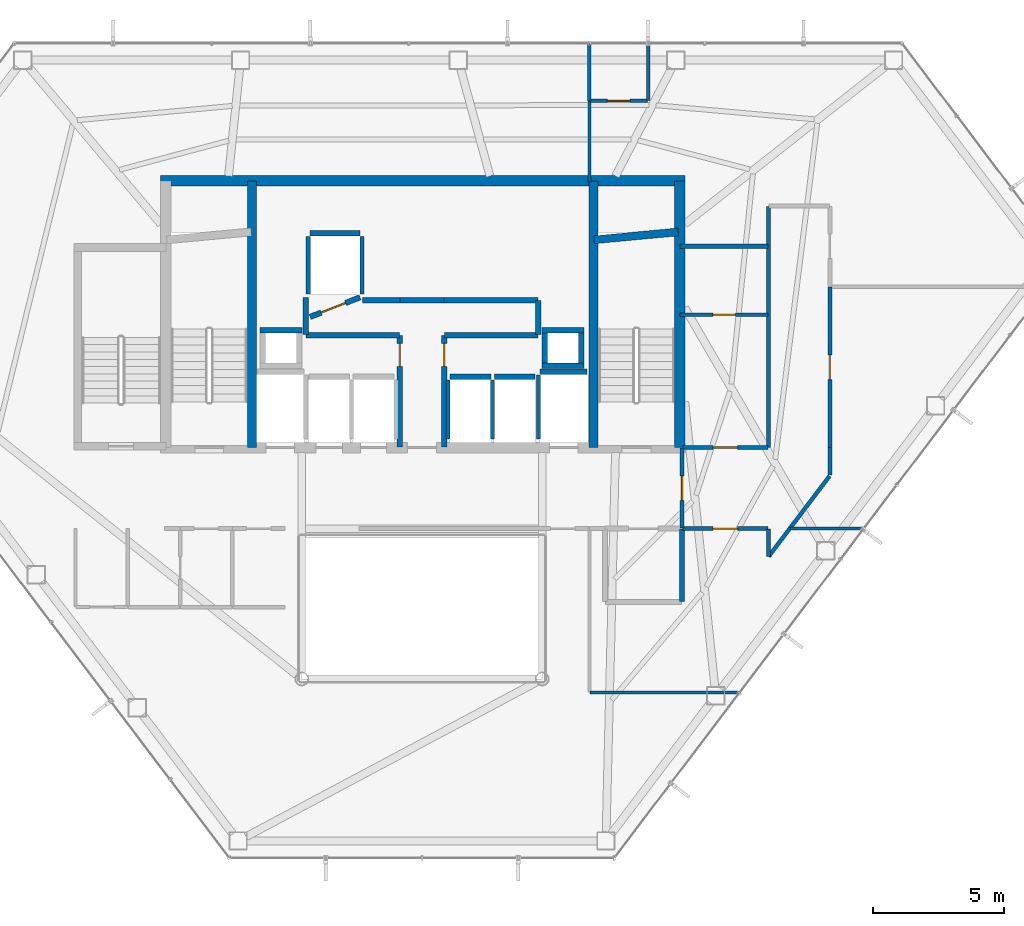
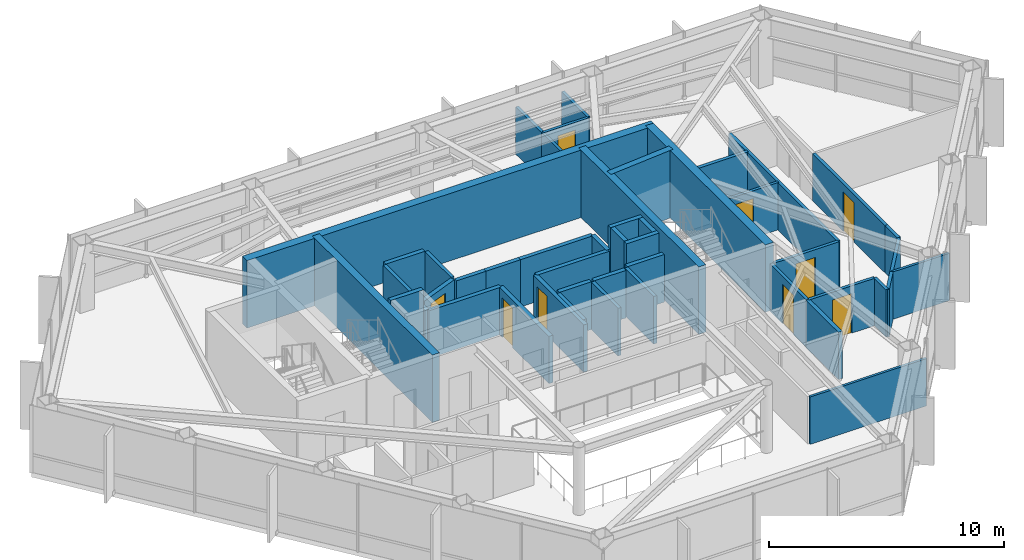
# One storey, part 25 of 27: 47 walls, 9 doors, 9 openings.
"""IFC4 building model written with IfcOpenShell, lengths in metres."""

from ifc_helpers import new_model, si_unit, direction, frame, frame_2d, origin, place, context, subcontext, project, spatial, rectangle, extrude, material, layer, layer_set, type_object, element, fill, save


model = new_model("IFC4")

# Units and contexts
model_context = context("Model", 3, precision=1e-05, world=origin(), true_north=direction((0.0, 1.0)))
body_context = subcontext(model_context, "Body", "Model", "MODEL_VIEW")
ifc_project = project(units=[si_unit("LENGTHUNIT", "METRE"), si_unit("AREAUNIT", "SQUARE_METRE"), si_unit("VOLUMEUNIT", "CUBIC_METRE"), si_unit("PLANEANGLEUNIT", "RADIAN"), si_unit("MASSUNIT", "GRAM", prefix="KILO")], contexts=[model_context])

# Site, building, storey
site_placement = place(None, origin())
site = spatial("IfcSite", under=ifc_project, at=site_placement, CompositionType="ELEMENT")
building_placement = place(site_placement, origin())
building = spatial("IfcBuilding", under=site, at=building_placement, Name="Zarrinselat Tower", CompositionType="ELEMENT")
storey_placement = place(building_placement, frame((0.0, 0.0, 175.780029296875)))
storey = spatial("IfcBuildingStorey", under=building, at=storey_placement, Name="L43", CompositionType="ELEMENT", Elevation=175.780029296875)

# Walls
ifc_material_1 = material(Name="Fire-Rated Gypsum Board Partition", Category="gypsum")
ifc_layer_1 = layer(ifc_material_1, 0.1650390625)
ifc_layer_set_1 = layer_set([ifc_layer_1], Name="Fire-Rated Gypsum Board Partition")
wall_type_1 = type_object("IfcWallType", Name="WAL-PART-DEMISE", PredefinedType="PARTITIONING", material=ifc_layer_set_1)
wall_1_placement = place(storey_placement, frame((48.27490234375, 40.9560546875, 0.0), z_axis=(0.0, 0.0, 1.0), x_axis=(1.0, 0.0, 0.0)))
element("IfcWall", 1, at=wall_1_placement, inside=storey, type_object=wall_type_1, Name="L43 Partition Wall 46", PredefinedType="PARTITIONING", context=body_context, shape_type="SweptSolid", body=[
    extrude(rectangle(XDim=3.360107421875, YDim=0.1650390625, at=frame_2d((1.68017578125, 0.0))), origin(), (0.0, 0.0, 1.0), 2.45703125),
])
ifc_material_2 = material(Name="Concrete C40/50", Category="concrete")
ifc_layer_2 = layer(ifc_material_2, 0.18994140625)
ifc_layer_set_2 = layer_set([ifc_layer_2], Name="Concrete C40/50")
wall_type_2 = type_object("IfcWallType", Name="WAL-PART-EI120", PredefinedType="PARTITIONING", material=ifc_layer_set_2)
wall_2_placement = place(storey_placement, frame((48.35009765625, 27.3701171875, 0.0), z_axis=(0.0, 0.0, 1.0), x_axis=(0.0, 1.0, 0.0)))
element("IfcWall", 2, at=wall_2_placement, inside=storey, type_object=wall_type_2, Name="L43 Partition Wall 19", PredefinedType="PARTITIONING", context=body_context, shape_type="SweptSolid", body=[
    extrude(rectangle(XDim=2.759765625, YDim=0.18994140625, at=frame_2d((1.3798828125, 0.0))), origin(), (0.0, 0.0, 1.0), 2.45703125),
])

# Wall, opening, door
ifc_material_3 = material(Name="Fire-Rated Gypsum Board Partition", Category="gypsum")
ifc_layer_3 = layer(ifc_material_3, 0.14990234375)
ifc_layer_set_3 = layer_set([ifc_layer_3], Name="Fire-Rated Gypsum Board Partition")
wall_type_3 = type_object("IfcWallType", Name="WAL-PART-EI60", PredefinedType="PARTITIONING", material=ifc_layer_set_3)
wall_3_placement = place(storey_placement, frame((48.35009765625, 30.169921875, 0.0), z_axis=(0.0, 0.0, 1.0), x_axis=(0.0, 1.0, 0.0)))
wall_3 = element("IfcWall", 3, at=wall_3_placement, inside=storey, type_object=wall_type_3, Name="L43 Partition Wall 11", PredefinedType="PARTITIONING", context=body_context, shape_type="SweptSolid", body=[
    extrude(rectangle(XDim=3.06005859375, YDim=0.14990234375, at=frame_2d((1.530029296875, 0.0))), origin(), (0.0, 0.0, 1.0), 2.45703125),
])
opening_1_placement = place(wall_3_placement, frame((1.06005859375, 0.0, 0.0)))
opening_1 = element("IfcOpeningElement", 4, at=opening_1_placement, cuts=wall_3, Name="Opening ID-04", PredefinedType="OPENING", context=body_context, shape_type="SweptSolid", body=[
    extrude(rectangle(XDim=0.93994140625, YDim=2.050048828125, at=frame_2d((0.469970703125, 1.02490234375))), frame((0.0, 0.0849609375, 0.0), z_axis=(0.0, -1.0, 0.0), x_axis=(1.0, 0.0, 0.0)), (0.0, 0.0, 1.0), 0.169921875),
])
ifc_material_4 = material(Name="Fire-Rated Gypsum Board Partition")
door_type_1 = type_object("IfcDoorType", Name="DR-INT-FD30-ENT", OperationType="NOTDEFINED", PredefinedType="DOOR", material=ifc_material_4)
door_1_placement = place(opening_1_placement, origin())
door_1 = element("IfcDoor", 5, at=door_1_placement, inside=storey, type_object=door_type_1, Name="L43 Interior Door P11", OperationType="SINGLE_SWING_RIGHT", OverallHeight=2.050048828125, OverallWidth=0.93994140625, PredefinedType="DOOR", context=body_context, shape_type="SweptSolid", body=[
    extrude(rectangle(XDim=0.93994140625, YDim=2.050048828125, at=frame_2d((0.469970703125, 1.02490234375))), frame((0.0, 0.02490234375, 0.0), z_axis=(0.0, -1.0, 0.0), x_axis=(1.0, 0.0, 0.0)), (0.0, 0.0, 1.0), 0.050048828125),
])
fill(opening_1, door_1)

# Walls
wall_4_placement = place(storey_placement, frame((51.662109375, 29.0908203125, 0.0), z_axis=(0.0, 0.0, 1.0), x_axis=(0.603847067363, 0.797100193976, 0.0)))
element("IfcWall", 6, at=wall_4_placement, inside=storey, type_object=wall_type_3, Name="L43 Partition Wall 20", PredefinedType="PARTITIONING", context=body_context, shape_type="SweptSolid", body=[
    extrude(rectangle(XDim=1.32763671875, YDim=0.14990234375, at=frame_2d((0.663818359375, 0.0))), origin(), (0.0, 0.0, 1.0), 2.45703125),
])
wall_5_placement = place(storey_placement, frame((51.64990234375, 29.0947265625, 0.0), z_axis=(0.0, 0.0, 1.0), x_axis=(0.0, 1.0, 0.0)))
element("IfcWall", 7, at=wall_5_placement, inside=storey, type_object=wall_type_3, Name="L43 Partition Wall 21", PredefinedType="PARTITIONING", context=body_context, shape_type="SweptSolid", body=[
    extrude(rectangle(XDim=1.03515625, YDim=0.14990234375, at=frame_2d((0.517578125, 0.0))), origin(), (0.0, 0.0, 1.0), 2.45703125),
])

# Wall, opening, door
wall_6_placement = place(storey_placement, frame((48.3701171875, 30.14990234375, 0.0), z_axis=(0.0, 0.0, 1.0), x_axis=(1.0, 0.0, 0.0)))
wall_6 = element("IfcWall", 8, at=wall_6_placement, inside=storey, type_object=wall_type_3, Name="L43 Partition Wall 22", PredefinedType="PARTITIONING", context=body_context, shape_type="SweptSolid", body=[
    extrude(rectangle(XDim=3.259765625, YDim=0.14990234375, at=frame_2d((1.6298828125, 0.0))), origin(), (0.0, 0.0, 1.0), 2.45703125),
])
opening_2_placement = place(wall_6_placement, frame((1.159912109375, 0.0, 0.0)))
opening_2 = element("IfcOpeningElement", 9, at=opening_2_placement, cuts=wall_6, Name="Opening ID-04", PredefinedType="OPENING", context=body_context, shape_type="SweptSolid", body=[
    extrude(rectangle(XDim=0.93994140625, YDim=2.050048828125, at=frame_2d((0.469970703125, 1.02490234375))), frame((0.0, 0.0849609375, 0.0), z_axis=(0.0, -1.0, 0.0), x_axis=(1.0, 0.0, 0.0)), (0.0, 0.0, 1.0), 0.169921875),
])
door_2_placement = place(opening_2_placement, origin())
door_2 = element("IfcDoor", 10, at=door_2_placement, inside=storey, type_object=door_type_1, Name="L43 Interior Door P22", OperationType="SINGLE_SWING_RIGHT", OverallHeight=2.050048828125, OverallWidth=0.93994140625, PredefinedType="DOOR", context=body_context, shape_type="SweptSolid", body=[
    extrude(rectangle(XDim=0.93994140625, YDim=2.050048828125, at=frame_2d((0.469970703125, 1.02490234375))), frame((0.0, 0.02490234375, 0.0), z_axis=(0.0, -1.0, 0.0), x_axis=(1.0, 0.0, 0.0)), (0.0, 0.0, 1.0), 0.050048828125),
])
fill(opening_2, door_2)

wall_7_placement = place(storey_placement, frame((54.0, 33.25, 0.0), z_axis=(0.0, 0.0, 1.0), x_axis=(0.0, 1.0, 0.0)))
wall_7 = element("IfcWall", 11, at=wall_7_placement, inside=storey, type_object=wall_type_3, Name="L43 Partition Wall 23", PredefinedType="PARTITIONING", context=body_context, shape_type="SweptSolid", body=[
    extrude(rectangle(XDim=6.151123046875, YDim=0.14990234375, at=frame_2d((3.07568359375, 0.0))), origin(), (0.0, 0.0, 1.0), 2.45703125),
])
opening_3_placement = place(wall_7_placement, frame((2.605712890625, 0.0, 0.0)))
opening_3 = element("IfcOpeningElement", 12, at=opening_3_placement, cuts=wall_7, Name="Opening ID-04", PredefinedType="OPENING", context=body_context, shape_type="SweptSolid", body=[
    extrude(rectangle(XDim=0.93994140625, YDim=2.050048828125, at=frame_2d((0.469970703125, 1.02490234375))), frame((0.0, 0.0849609375, 0.0), z_axis=(0.0, -1.0, 0.0), x_axis=(1.0, 0.0, 0.0)), (0.0, 0.0, 1.0), 0.169921875),
])
door_3_placement = place(opening_3_placement, origin())
door_3 = element("IfcDoor", 13, at=door_3_placement, inside=storey, type_object=door_type_1, Name="L43 Interior Door P23", OperationType="SINGLE_SWING_LEFT", OverallHeight=2.050048828125, OverallWidth=0.93994140625, PredefinedType="DOOR", context=body_context, shape_type="SweptSolid", body=[
    extrude(rectangle(XDim=0.93994140625, YDim=2.050048828125, at=frame_2d((0.469970703125, 1.02490234375))), frame((0.0, 0.02490234375, 0.0), z_axis=(0.0, -1.0, 0.0), x_axis=(1.0, 0.0, 0.0)), (0.0, 0.0, 1.0), 0.050048828125),
])
fill(opening_3, door_3)

# Walls
wall_8_placement = place(storey_placement, frame((54.0, 32.19677734375, 0.0), z_axis=(0.0, 0.0, 1.0), x_axis=(0.0, 1.0, 0.0)))
element("IfcWall", 14, at=wall_8_placement, inside=storey, type_object=wall_type_3, Name="L43 Partition Wall 24", PredefinedType="PARTITIONING", context=body_context, shape_type="SweptSolid", body=[
    extrude(rectangle(XDim=1.05322265625, YDim=0.14990234375, at=frame_2d((0.526611328125, 0.0))), origin(), (0.0, 0.0, 1.0), 2.45703125),
])
wall_9_placement = place(storey_placement, frame((52.467529296875, 30.154052734375, 0.0), z_axis=(0.0, 0.0, 1.0), x_axis=(0.603840884766, 0.797104877594, 0.0)))
element("IfcWall", 15, at=wall_9_placement, inside=storey, type_object=wall_type_3, Name="L43 Partition Wall 25", PredefinedType="PARTITIONING", context=body_context, shape_type="SweptSolid", body=[
    extrude(rectangle(XDim=2.517578125, YDim=0.14990234375, at=frame_2d((1.2587890625, 0.0))), origin(), (0.0, 0.0, 1.0), 2.45703125),
])
wall_10_placement = place(storey_placement, frame((51.64990234375, 33.25, 0.0), z_axis=(0.0, 0.0, 1.0), x_axis=(0.0, 1.0, 0.0)))
element("IfcWall", 16, at=wall_10_placement, inside=storey, type_object=wall_type_3, Name="L43 Partition Wall 26", PredefinedType="PARTITIONING", context=body_context, shape_type="SweptSolid", body=[
    extrude(rectangle(XDim=9.22998046875, YDim=0.14990234375, at=frame_2d((4.614990234375, 0.0))), origin(), (0.0, 0.0, 1.0), 2.45703125),
])

# Wall, opening, door
wall_11_placement = place(storey_placement, frame((48.364990234375, 33.25, 0.0), z_axis=(0.0, 0.0, 1.0), x_axis=(1.0, 0.0, 0.0)))
wall_11 = element("IfcWall", 17, at=wall_11_placement, inside=storey, type_object=wall_type_3, Name="L43 Partition Wall 29", PredefinedType="PARTITIONING", context=body_context, shape_type="SweptSolid", body=[
    extrude(rectangle(XDim=3.27001953125, YDim=0.14990234375, at=frame_2d((1.635009765625, 0.0))), origin(), (0.0, 0.0, 1.0), 2.45703125),
])
opening_4_placement = place(wall_11_placement, frame((1.1650390625, 0.0, 0.0)))
opening_4 = element("IfcOpeningElement", 18, at=opening_4_placement, cuts=wall_11, Name="Opening ID-04", PredefinedType="OPENING", context=body_context, shape_type="SweptSolid", body=[
    extrude(rectangle(XDim=0.93994140625, YDim=2.050048828125, at=frame_2d((0.469970703125, 1.02490234375))), frame((0.0, 0.0849609375, 0.0), z_axis=(0.0, -1.0, 0.0), x_axis=(1.0, 0.0, 0.0)), (0.0, 0.0, 1.0), 0.169921875),
])
door_4_placement = place(opening_4_placement, origin())
door_4 = element("IfcDoor", 19, at=door_4_placement, inside=storey, type_object=door_type_1, Name="L43 Interior Door P29", OperationType="SINGLE_SWING_LEFT", OverallHeight=2.050048828125, OverallWidth=0.93994140625, PredefinedType="DOOR", context=body_context, shape_type="SweptSolid", body=[
    extrude(rectangle(XDim=0.93994140625, YDim=2.050048828125, at=frame_2d((0.469970703125, 1.02490234375))), frame((0.0, 0.02490234375, 0.0), z_axis=(0.0, -1.0, 0.0), x_axis=(1.0, 0.0, 0.0)), (0.0, 0.0, 1.0), 0.050048828125),
])
fill(opening_4, door_4)

ifc_material_5 = material(Name="Concrete C40/50", Category="concrete")
ifc_layer_4 = layer(ifc_material_5, 0.199951171875)
ifc_layer_set_4 = layer_set([ifc_layer_4], Name="Concrete C40/50")
wall_type_4 = type_object("IfcWallType", Name="WAL-PART-PLANT", PredefinedType="PARTITIONING", material=ifc_layer_set_4)
wall_12_placement = place(storey_placement, frame((37.550048828125, 33.264892578125, 0.0), z_axis=(0.0, 0.0, 1.0), x_axis=(0.0, 1.0, 0.0)))
wall_12 = element("IfcWall", 20, at=wall_12_placement, inside=storey, type_object=wall_type_4, Name="L43 Partition Wall 1", PredefinedType="PARTITIONING", context=body_context, shape_type="SweptSolid", body=[
    extrude(rectangle(XDim=4.26513671875, YDim=0.199951171875, at=frame_2d((2.132568359375, 0.0))), origin(), (0.0, 0.0, 1.0), 2.45703125),
])
opening_5_placement = place(wall_12_placement, frame((3.092529296875, 0.0, 0.0)))
opening_5 = element("IfcOpeningElement", 21, at=opening_5_placement, cuts=wall_12, Name="Opening ID-03", PredefinedType="OPENING", context=body_context, shape_type="SweptSolid", body=[
    extrude(rectangle(XDim=0.8798828125, YDim=2.050048828125, at=frame_2d((0.43994140625, 1.02490234375))), frame((0.0, 0.10986328125, 0.0), z_axis=(0.0, -1.0, 0.0), x_axis=(1.0, 0.0, 0.0)), (0.0, 0.0, 1.0), 0.219970703125),
])
ifc_material_6 = material(Name="Steel S355J2", Category="steel")
door_type_2 = type_object("IfcDoorType", Name="DR-INT-FD60-S", OperationType="NOTDEFINED", PredefinedType="DOOR", material=ifc_material_6)
door_5_placement = place(opening_5_placement, origin())
door_5 = element("IfcDoor", 22, at=door_5_placement, inside=storey, type_object=door_type_2, Name="L43 Interior Door P1", OperationType="SINGLE_SWING_LEFT", OverallHeight=2.050048828125, OverallWidth=0.8798828125, PredefinedType="DOOR", context=body_context, shape_type="SweptSolid", body=[
    extrude(rectangle(XDim=0.8798828125, YDim=2.050048828125, at=frame_2d((0.43994140625, 1.02490234375))), frame((0.0, 0.02490234375, 0.0), z_axis=(0.0, -1.0, 0.0), x_axis=(1.0, 0.0, 0.0)), (0.0, 0.0, 1.0), 0.050048828125),
])
fill(opening_5, door_5)

# Walls
wall_13_placement = place(storey_placement, frame((33.969970703125, 37.550048828125, 0.0), z_axis=(0.0, 0.0, 1.0), x_axis=(1.0, 0.0, 0.0)))
element("IfcWall", 23, at=wall_13_placement, inside=storey, type_object=wall_type_4, Name="L43 Partition Wall 2", PredefinedType="PARTITIONING", context=body_context, shape_type="SweptSolid", body=[
    extrude(rectangle(XDim=3.56005859375, YDim=0.199951171875, at=frame_2d((1.780029296875, 0.0))), origin(), (0.0, 0.0, 1.0), 2.45703125),
])
wall_14_placement = place(storey_placement, frame((33.949951171875, 37.570068359375, 0.0), z_axis=(0.0, 0.0, 1.0), x_axis=(0.0, 1.0, 0.0)))
element("IfcWall", 24, at=wall_14_placement, inside=storey, type_object=wall_type_4, Name="L43 Partition Wall 3", PredefinedType="PARTITIONING", context=body_context, shape_type="SweptSolid", body=[
    extrude(rectangle(XDim=1.4150390625, YDim=0.199951171875, at=frame_2d((0.70751953125, 0.0))), origin(), (0.0, 0.0, 1.0), 2.45703125),
])
wall_15_placement = place(storey_placement, frame((36.114990234375, 38.889892578125, 0.0), z_axis=(0.0, 0.0, 1.0), x_axis=(1.0, 0.0, 0.0)))
element("IfcWall", 25, at=wall_15_placement, inside=storey, type_object=wall_type_4, Name="L43 Partition Wall 4", PredefinedType="PARTITIONING", context=body_context, shape_type="SweptSolid", body=[
    extrude(rectangle(XDim=1.43505859375, YDim=0.199951171875, at=frame_2d((0.717529296875, 0.0))), origin(), (0.0, 0.0, 1.0), 2.45703125),
])
wall_16_placement = place(storey_placement, frame((37.550048828125, 38.889892578125, 0.0), z_axis=(0.0, 0.0, 1.0), x_axis=(1.0, 0.0, 0.0)))
element("IfcWall", 26, at=wall_16_placement, inside=storey, type_object=wall_type_4, Name="L43 Partition Wall 5", PredefinedType="PARTITIONING", context=body_context, shape_type="SweptSolid", body=[
    extrude(rectangle(XDim=1.699951171875, YDim=0.199951171875, at=frame_2d((0.85009765625, 0.0))), origin(), (0.0, 0.0, 1.0), 2.45703125),
])
wall_17_placement = place(storey_placement, frame((39.25, 38.889892578125, 0.0), z_axis=(0.0, 0.0, 1.0), x_axis=(1.0, 0.0, 0.0)))
element("IfcWall", 27, at=wall_17_placement, inside=storey, type_object=wall_type_4, Name="L43 Partition Wall 6", PredefinedType="PARTITIONING", context=body_context, shape_type="SweptSolid", body=[
    extrude(rectangle(XDim=3.580078125, YDim=0.199951171875, at=frame_2d((1.7900390625, 0.0))), origin(), (0.0, 0.0, 1.0), 2.45703125),
])
wall_18_placement = place(storey_placement, frame((42.85009765625, 37.570068359375, 0.0), z_axis=(0.0, 0.0, 1.0), x_axis=(0.0, 1.0, 0.0)))
element("IfcWall", 28, at=wall_18_placement, inside=storey, type_object=wall_type_4, Name="L43 Partition Wall 7", PredefinedType="PARTITIONING", context=body_context, shape_type="SweptSolid", body=[
    extrude(rectangle(XDim=1.300048828125, YDim=0.199951171875, at=frame_2d((0.64990234375, 0.0))), origin(), (0.0, 0.0, 1.0), 2.45703125),
])
wall_19_placement = place(storey_placement, frame((39.27001953125, 37.550048828125, 0.0), z_axis=(0.0, 0.0, 1.0), x_axis=(1.0, 0.0, 0.0)))
element("IfcWall", 29, at=wall_19_placement, inside=storey, type_object=wall_type_4, Name="L43 Partition Wall 8", PredefinedType="PARTITIONING", context=body_context, shape_type="SweptSolid", body=[
    extrude(rectangle(XDim=3.56005859375, YDim=0.199951171875, at=frame_2d((1.780029296875, 0.0))), origin(), (0.0, 0.0, 1.0), 2.45703125),
])

# Wall, opening, door
wall_20_placement = place(storey_placement, frame((39.25, 33.264892578125, 0.0), z_axis=(0.0, 0.0, 1.0), x_axis=(0.0, 1.0, 0.0)))
wall_20 = element("IfcWall", 30, at=wall_20_placement, inside=storey, type_object=wall_type_4, Name="L43 Partition Wall 9", PredefinedType="PARTITIONING", context=body_context, shape_type="SweptSolid", body=[
    extrude(rectangle(XDim=4.26513671875, YDim=0.199951171875, at=frame_2d((2.132568359375, 0.0))), origin(), (0.0, 0.0, 1.0), 2.45703125),
])
opening_6_placement = place(wall_20_placement, frame((3.092529296875, 0.0, 0.0)))
opening_6 = element("IfcOpeningElement", 31, at=opening_6_placement, cuts=wall_20, Name="Opening ID-03", PredefinedType="OPENING", context=body_context, shape_type="SweptSolid", body=[
    extrude(rectangle(XDim=0.8798828125, YDim=2.050048828125, at=frame_2d((0.43994140625, 1.02490234375))), frame((0.0, 0.10986328125, 0.0), z_axis=(0.0, -1.0, 0.0), x_axis=(1.0, 0.0, 0.0)), (0.0, 0.0, 1.0), 0.219970703125),
])
door_6_placement = place(opening_6_placement, origin())
door_6 = element("IfcDoor", 32, at=door_6_placement, inside=storey, type_object=door_type_2, Name="L43 Interior Door P9", OperationType="SINGLE_SWING_RIGHT", OverallHeight=2.050048828125, OverallWidth=0.8798828125, PredefinedType="DOOR", context=body_context, shape_type="SweptSolid", body=[
    extrude(rectangle(XDim=0.8798828125, YDim=2.050048828125, at=frame_2d((0.43994140625, 1.02490234375))), frame((0.0, 0.02490234375, 0.0), z_axis=(0.0, -1.0, 0.0), x_axis=(1.0, 0.0, 0.0)), (0.0, 0.0, 1.0), 0.050048828125),
])
fill(opening_6, door_6)

# Walls
ifc_material_7 = material(Name="Fire-Rated Gypsum Board Partition", Category="gypsum")
ifc_layer_5 = layer(ifc_material_7, 0.1201171875)
ifc_layer_set_5 = layer_set([ifc_layer_5], Name="Fire-Rated Gypsum Board Partition")
wall_type_5 = type_object("IfcWallType", Name="WAL-PART-STD", PredefinedType="PARTITIONING", material=ifc_layer_set_5)
wall_21_placement = place(storey_placement, frame((44.820068359375, 23.882568359375, 0.0), z_axis=(0.0, 0.0, 1.0), x_axis=(1.0, 0.0, 0.0)))
element("IfcWall", 33, at=wall_21_placement, inside=storey, type_object=wall_type_5, Name="L43 Partition Wall 39", PredefinedType="PARTITIONING", context=body_context, shape_type="SweptSolid", body=[
    extrude(rectangle(XDim=5.716796875, YDim=0.1201171875, at=frame_2d((2.8583984375, 0.0))), origin(), (0.0, 0.0, 1.0), 2.45703125),
])
wall_22_placement = place(storey_placement, frame((44.800048828125, 43.4150390625, 0.0), z_axis=(0.0, 0.0, 1.0), x_axis=(0.0, 1.0, 0.0)))
element("IfcWall", 34, at=wall_22_placement, inside=storey, type_object=wall_type_5, Name="L43 Partition Wall 40", PredefinedType="PARTITIONING", context=body_context, shape_type="SweptSolid", body=[
    extrude(rectangle(XDim=3.092041015625, YDim=0.1201171875, at=frame_2d((1.5458984375, 0.0))), origin(), (0.0, 0.0, 1.0), 2.45703125),
])
wall_23_placement = place(storey_placement, frame((52.484619140625, 30.14990234375, 0.0), z_axis=(0.0, 0.0, 1.0), x_axis=(1.0, 0.0, 0.0)))
element("IfcWall", 35, at=wall_23_placement, inside=storey, type_object=wall_type_5, Name="L43 Partition Wall 42", PredefinedType="PARTITIONING", context=body_context, shape_type="SweptSolid", body=[
    extrude(rectangle(XDim=2.80029296875, YDim=0.1201171875, at=frame_2d((1.400146484375, 0.0))), origin(), (0.0, 0.0, 1.0), 2.45703125),
])
ifc_material_8 = material(Name="Fire-Rated Gypsum Board Partition", Category="gypsum")
ifc_layer_6 = layer(ifc_material_8, 0.135009765625)
ifc_layer_set_6 = layer_set([ifc_layer_6], Name="Fire-Rated Gypsum Board Partition")
wall_type_6 = type_object("IfcWallType", Name="WAL-PART-WET", PredefinedType="PARTITIONING", material=ifc_layer_set_6)
wall_24_placement = place(storey_placement, frame((44.800048828125, 46.51708984375, 0.0), z_axis=(0.0, 0.0, 1.0), x_axis=(0.0, 1.0, 0.0)))
element("IfcWall", 36, at=wall_24_placement, inside=storey, type_object=wall_type_6, Name="L43 Partition Wall 41", PredefinedType="PARTITIONING", context=body_context, shape_type="SweptSolid", body=[
    extrude(rectangle(XDim=2.190185546875, YDim=0.135009765625, at=frame_2d((1.09521484375, 0.0))), origin(), (0.0, 0.0, 1.0), 2.45703125),
])

# Wall, opening, door
wall_25_placement = place(storey_placement, frame((44.820068359375, 46.51220703125, 0.0), z_axis=(0.0, 0.0, 1.0), x_axis=(1.0, 0.0, 0.0)))
wall_25 = element("IfcWall", 37, at=wall_25_placement, inside=storey, type_object=wall_type_6, Name="L43 Partition Wall 44", PredefinedType="PARTITIONING", context=body_context, shape_type="SweptSolid", body=[
    extrude(rectangle(XDim=2.2099609375, YDim=0.135009765625, at=frame_2d((1.10498046875, 0.0))), origin(), (0.0, 0.0, 1.0), 2.45703125),
])
opening_7_placement = place(wall_25_placement, frame((0.675048828125, 0.0, 0.0)))
opening_7 = element("IfcOpeningElement", 38, at=opening_7_placement, cuts=wall_25, Name="Opening ID-06", PredefinedType="OPENING", context=body_context, shape_type="SweptSolid", body=[
    extrude(rectangle(XDim=0.860107421875, YDim=2.050048828125, at=frame_2d((0.43017578125, 1.02490234375))), frame((0.0, 0.077392578125, 0.0), z_axis=(0.0, -1.0, 0.0), x_axis=(1.0, 0.0, 0.0)), (0.0, 0.0, 1.0), 0.155029296875),
])
ifc_material_9 = material(Name="Extruded Aluminium Alloy EN AW-6063 T6", Category="aluminium")
door_type_3 = type_object("IfcDoorType", Name="DR-INT-WET-900", OperationType="NOTDEFINED", PredefinedType="DOOR", material=ifc_material_9)
door_7_placement = place(opening_7_placement, origin())
door_7 = element("IfcDoor", 39, at=door_7_placement, inside=storey, type_object=door_type_3, Name="L43 Interior Door P44", OperationType="SINGLE_SWING_RIGHT", OverallHeight=2.050048828125, OverallWidth=0.860107421875, PredefinedType="DOOR", context=body_context, shape_type="SweptSolid", body=[
    extrude(rectangle(XDim=0.860107421875, YDim=2.050048828125, at=frame_2d((0.43017578125, 1.02490234375))), frame((0.0, 0.02490234375, 0.0), z_axis=(0.0, -1.0, 0.0), x_axis=(1.0, 0.0, 0.0)), (0.0, 0.0, 1.0), 0.050048828125),
])
fill(opening_7, door_7)

# Wall
wall_26_placement = place(storey_placement, frame((47.050048828125, 46.5322265625, 0.0), z_axis=(0.0, 0.0, 1.0), x_axis=(0.0, 1.0, 0.0)))
element("IfcWall", 40, at=wall_26_placement, inside=storey, type_object=wall_type_6, Name="L43 Partition Wall 45", PredefinedType="PARTITIONING", context=body_context, shape_type="SweptSolid", body=[
    extrude(rectangle(XDim=2.175048828125, YDim=0.135009765625, at=frame_2d((1.08740234375, 0.0))), origin(), (0.0, 0.0, 1.0), 2.45703125),
])

# Wall, opening, door
wall_27_placement = place(storey_placement, frame((48.27490234375, 38.3359375, 0.0), z_axis=(0.0, 0.0, 1.0), x_axis=(1.0, 0.0, 0.0)))
wall_27 = element("IfcWall", 41, at=wall_27_placement, inside=storey, type_object=wall_type_6, Name="L43 Partition Wall 47", PredefinedType="PARTITIONING", context=body_context, shape_type="SweptSolid", body=[
    extrude(rectangle(XDim=3.360107421875, YDim=0.135009765625, at=frame_2d((1.68017578125, 0.0))), origin(), (0.0, 0.0, 1.0), 2.45703125),
])
opening_8_placement = place(wall_27_placement, frame((1.25, 0.0, 0.0)))
opening_8 = element("IfcOpeningElement", 42, at=opening_8_placement, cuts=wall_27, Name="Opening ID-06", PredefinedType="OPENING", context=body_context, shape_type="SweptSolid", body=[
    extrude(rectangle(XDim=0.860107421875, YDim=2.050048828125, at=frame_2d((0.43017578125, 1.02490234375))), frame((0.0, 0.077392578125, 0.0), z_axis=(0.0, -1.0, 0.0), x_axis=(1.0, 0.0, 0.0)), (0.0, 0.0, 1.0), 0.155029296875),
])
door_8_placement = place(opening_8_placement, origin())
door_8 = element("IfcDoor", 43, at=door_8_placement, inside=storey, type_object=door_type_3, Name="L43 Interior Door P47", OperationType="SINGLE_SWING_LEFT", OverallHeight=2.050048828125, OverallWidth=0.860107421875, PredefinedType="DOOR", context=body_context, shape_type="SweptSolid", body=[
    extrude(rectangle(XDim=0.860107421875, YDim=2.050048828125, at=frame_2d((0.43017578125, 1.02490234375))), frame((0.0, 0.02490234375, 0.0), z_axis=(0.0, -1.0, 0.0), x_axis=(1.0, 0.0, 0.0)), (0.0, 0.0, 1.0), 0.050048828125),
])
fill(opening_8, door_8)

# Walls
ifc_material_10 = material(Name="Concrete C40/50", Category="concrete")
ifc_layer_7 = layer(ifc_material_10, 0.2099609375)
ifc_layer_set_7 = layer_set([ifc_layer_7], Name="Concrete C40/50")
wall_type_7 = type_object("IfcWallType", Name="WAL-SHAFT-210", PredefinedType="SOLIDWALL", material=ifc_layer_set_7)
wall_28_placement = place(storey_placement, frame((42.919921875, 36.155029296875, 0.0), z_axis=(0.0, 0.0, 1.0), x_axis=(1.0, 0.0, 0.0)))
element("IfcWall", 44, at=wall_28_placement, inside=storey, type_object=wall_type_7, Name="L43 Lift FFL2 North Shaft Wall", PredefinedType="SOLIDWALL", context=body_context, shape_type="SweptSolid", body=[
    extrude(rectangle(XDim=1.800048828125, YDim=0.2099609375, at=frame_2d((0.89990234375, 0.0))), origin(), (0.0, 0.0, 1.0), 2.471923828125),
])
wall_29_placement = place(storey_placement, frame((42.85009765625, 33.580078125, 0.0), z_axis=(0.0, 0.0, 1.0), x_axis=(0.0, 1.0, 0.0)))
element("IfcWall", 45, at=wall_29_placement, inside=storey, type_object=wall_type_7, Name="L43 Lift FFL2 W Shaft Wall", PredefinedType="SOLIDWALL", context=body_context, shape_type="SweptSolid", body=[
    extrude(rectangle(XDim=2.449951171875, YDim=0.159912109375, at=frame_2d((1.22509765625, 0.0))), origin(), (0.0, 0.0, 1.0), 2.471923828125),
])

# Wall, opening, door
wall_30_placement = place(storey_placement, frame((34.1201171875, 38.25, 0.0), z_axis=(0.0, 0.0, 1.0), x_axis=(0.930804993012, 0.36551616241, 0.0)))
wall_30 = element("IfcWall", 46, at=wall_30_placement, inside=storey, type_object=wall_type_7, Name="L43 Lift PL7 Front Shaft Wall", PredefinedType="SOLIDWALL", context=body_context, shape_type="SweptSolid", body=[
    extrude(rectangle(XDim=2.052001953125, YDim=0.2099609375, at=frame_2d((1.02587890625, 0.0))), origin(), (0.0, 0.0, 1.0), 2.471923828125),
])
opening_9_placement = place(wall_30_placement, frame((0.455078125, 0.0, 0.0)))
opening_9 = element("IfcOpeningElement", 47, at=opening_9_placement, cuts=wall_30, Name="Opening LD-PL7", PredefinedType="OPENING", context=body_context, shape_type="SweptSolid", body=[
    extrude(rectangle(XDim=1.0, YDim=2.10009765625, at=frame_2d((0.5, 1.050048828125))), frame((0.0, 0.114990234375, 0.0), z_axis=(0.0, -1.0, 0.0), x_axis=(1.0, 0.0, 0.0)), (0.0, 0.0, 1.0), 0.22998046875),
])
ifc_material_11 = material(Name="Steel S355J2", Category="steel")
door_type_4 = type_object("IfcDoorType", Name="DR-LIFT-PS-1000", OperationType="NOTDEFINED", PredefinedType="DOOR", material=ifc_material_11)
door_9_placement = place(opening_9_placement, origin())
door_9 = element("IfcDoor", 48, at=door_9_placement, inside=storey, type_object=door_type_4, Name="L43 Lift PL7 Sliding Landing Door", OperationType="SLIDING_TO_LEFT", OverallHeight=2.10009765625, OverallWidth=1.0, PredefinedType="DOOR", context=body_context, shape_type="SweptSolid", body=[
    extrude(rectangle(XDim=1.0, YDim=2.10009765625, at=frame_2d((0.5, 1.050048828125))), frame((0.0, 0.02490234375, 0.0), z_axis=(0.0, -1.0, 0.0), x_axis=(1.0, 0.0, 0.0)), (0.0, 0.0, 1.0), 0.050048828125),
])
fill(opening_9, door_9)

# Walls
wall_31_placement = place(storey_placement, frame((34.1201171875, 41.455078125, 0.0), z_axis=(0.0, 0.0, 1.0), x_axis=(1.0, 0.0, 0.0)))
element("IfcWall", 49, at=wall_31_placement, inside=storey, type_object=wall_type_7, Name="L43 Lift PL7 Rear Shaft Wall", PredefinedType="SOLIDWALL", context=body_context, shape_type="SweptSolid", body=[
    extrude(rectangle(XDim=1.909912109375, YDim=0.2099609375, at=frame_2d((0.955078125, 0.0))), origin(), (0.0, 0.0, 1.0), 2.471923828125),
])
for number, where, z_axis, x_axis, name in (
    (50, (34.050048828125, 39.1201171875, 0.0), (0.0, 0.0, 1.0), (0.0, 1.0, 0.0), "L43 Lift PL7 W Shaft Wall"),
    (51, (36.10009765625, 39.1201171875, 0.0), (0.0, 0.0, 1.0), (0.0, 1.0, 0.0), "L43 Lift PL7 E Shaft Wall"),
):
    element("IfcWall", number, at=place(storey_placement, frame(where, z_axis=z_axis, x_axis=x_axis)), inside=storey, type_object=wall_type_7, Name=name, PredefinedType="SOLIDWALL", context=body_context, shape_type="SweptSolid", body=[
        extrude(rectangle(XDim=2.2099609375, YDim=0.159912109375, at=frame_2d((1.10498046875, 0.0))), origin(), (0.0, 0.0, 1.0), 2.471923828125),
    ])
wall_32_placement = place(storey_placement, frame((39.469970703125, 35.955078125, 0.0), z_axis=(0.0, 0.0, 1.0), x_axis=(1.0, 0.0, 0.0)))
element("IfcWall", 52, at=wall_32_placement, inside=storey, type_object=wall_type_7, Name="L43 Lift PL8 North Shaft Wall", PredefinedType="SOLIDWALL", context=body_context, shape_type="SweptSolid", body=[
    extrude(rectangle(XDim=1.56005859375, YDim=0.2099609375, at=frame_2d((0.780029296875, 0.0))), origin(), (0.0, 0.0, 1.0), 2.471923828125),
])
for number, where, z_axis, x_axis, name in (
    (53, (39.39990234375, 33.580078125, 0.0), (0.0, 0.0, 1.0), (0.0, 1.0, 0.0), "L43 Lift PL8 W Shaft Wall"),
    (54, (41.10009765625, 33.580078125, 0.0), (0.0, 0.0, 1.0), (0.0, 1.0, 0.0), "L43 Lift PL8 E Shaft Wall"),
):
    element("IfcWall", number, at=place(storey_placement, frame(where, z_axis=z_axis, x_axis=x_axis)), inside=storey, type_object=wall_type_7, Name=name, PredefinedType="SOLIDWALL", context=body_context, shape_type="SweptSolid", body=[
        extrude(rectangle(XDim=2.25, YDim=0.159912109375, at=frame_2d((1.125, 0.0))), origin(), (0.0, 0.0, 1.0), 2.471923828125),
    ])
wall_33_placement = place(storey_placement, frame((41.169921875, 35.955078125, 0.0), z_axis=(0.0, 0.0, 1.0), x_axis=(1.0, 0.0, 0.0)))
element("IfcWall", 55, at=wall_33_placement, inside=storey, type_object=wall_type_7, Name="L43 Lift PL9 North Shaft Wall", PredefinedType="SOLIDWALL", context=body_context, shape_type="SweptSolid", body=[
    extrude(rectangle(XDim=1.56005859375, YDim=0.2099609375, at=frame_2d((0.780029296875, 0.0))), origin(), (0.0, 0.0, 1.0), 2.471923828125),
])
for number, where, z_axis, x_axis, name in (
    (56, (32.2099609375, 37.7451171875, 0.0), (0.0, 0.0, 1.0), (1.0, 0.0, 0.0), "L43 Core Riser RSR-W N Shaft Wall"),
    (57, (42.989990234375, 36.375, 0.0), (0.0, 0.0, 1.0), (1.0, 0.0, 0.0), "L43 Core Riser RSR-E S Shaft Wall"),
    (58, (42.989990234375, 37.7451171875, 0.0), (0.0, 0.0, 1.0), (1.0, 0.0, 0.0), "L43 Core Riser RSR-E N Shaft Wall"),
):
    element("IfcWall", number, at=place(storey_placement, frame(where, z_axis=z_axis, x_axis=x_axis)), inside=storey, type_object=wall_type_7, Name=name, PredefinedType="SOLIDWALL", context=body_context, shape_type="SweptSolid", body=[
        extrude(rectangle(XDim=1.60009765625, YDim=0.2099609375, at=frame_2d((0.800048828125, 0.0))), origin(), (0.0, 0.0, 1.0), 3.5),
    ])
for number, where, z_axis, x_axis, name in (
    (59, (43.094970703125, 36.485107421875, 0.0), (0.0, 0.0, 1.0), (0.0, 1.0, 0.0), "L43 Core Riser RSR-E W Shaft Wall"),
    (60, (44.485107421875, 36.485107421875, 0.0), (0.0, 0.0, 1.0), (0.0, 1.0, 0.0), "L43 Core Riser RSR-E E Shaft Wall"),
):
    element("IfcWall", number, at=place(storey_placement, frame(where, z_axis=z_axis, x_axis=x_axis)), inside=storey, type_object=wall_type_7, Name=name, PredefinedType="SOLIDWALL", context=body_context, shape_type="SweptSolid", body=[
        extrude(rectangle(XDim=1.14990234375, YDim=0.2099609375, at=frame_2d((0.574951171875, 0.0))), origin(), (0.0, 0.0, 1.0), 3.5),
    ])
ifc_material_12 = material(Name="Concrete C40/50", Category="concrete")
ifc_layer_8 = layer(ifc_material_12, 0.300048828125)
ifc_layer_set_8 = layer_set([ifc_layer_8], Name="Concrete C40/50")
wall_type_8 = type_object("IfcWallType", Name="WAL-SHEAR-300", PredefinedType="SHEAR", material=ifc_layer_set_8)
wall_34_placement = place(storey_placement, frame((44.97998046875, 41.199951171875, 0.0), z_axis=(0.0, 0.0, 1.0), x_axis=(0.995686468965, 0.09278176286, 0.0)))
element("IfcWall", 61, at=wall_34_placement, inside=storey, type_object=wall_type_8, Name="L43 Stair 2 North Shaft Wall", PredefinedType="SHEAR", context=body_context, shape_type="SweptSolid", body=[
    extrude(rectangle(XDim=3.23388671875, YDim=0.300048828125, at=frame_2d((1.616943359375, 0.0))), origin(), (0.0, 0.0, 1.0), 3.5),
])
ifc_material_13 = material(Name="Concrete C50/60", Category="concrete")
ifc_layer_9 = layer(ifc_material_13, 0.35009765625)
ifc_layer_set_9 = layer_set([ifc_layer_9], Name="Concrete C50/60")
wall_type_9 = type_object("IfcWallType", Name="WAL-SHEAR-350", PredefinedType="SHEAR", material=ifc_layer_set_9)
for number, where, z_axis, x_axis, name in (
    (62, (31.89501953125, 33.25, 0.0), (0.0, 0.0, 1.0), (0.0, 1.0, 0.0), "L43 Core Shear Wall ST1E"),
    (63, (44.965087890625, 33.25, 0.0), (0.0, 0.0, 1.0), (0.0, 1.0, 0.0), "L43 Core Shear Wall ST2W"),
):
    element("IfcWall", number, at=place(storey_placement, frame(where, z_axis=z_axis, x_axis=x_axis)), inside=storey, type_object=wall_type_9, Name=name, PredefinedType="SHEAR", context=body_context, shape_type="SweptSolid", body=[
        extrude(rectangle(XDim=10.199951171875, YDim=0.35009765625, at=frame_2d((5.10009765625, 0.0))), origin(), (0.0, 0.0, 1.0), 3.5),
    ])
ifc_material_14 = material(Name="Concrete C60/75", Category="concrete")
ifc_layer_10 = layer(ifc_material_14, 0.39990234375)
ifc_layer_set_10 = layer_set([ifc_layer_10], Name="Concrete C60/75")
wall_type_10 = type_object("IfcWallType", Name="WAL-SHEAR-400", PredefinedType="SHEAR", material=ifc_layer_set_10)
wall_35_placement = place(storey_placement, frame((28.39990234375, 43.449951171875, 0.0), z_axis=(0.0, 0.0, 1.0), x_axis=(1.0, 0.0, 0.0)))
element("IfcWall", 64, at=wall_35_placement, inside=storey, type_object=wall_type_10, Name="L43 North Core Shear Wall", PredefinedType="SHEAR", context=body_context, shape_type="SweptSolid", body=[
    extrude(rectangle(XDim=20.06005859375, YDim=0.39990234375, at=frame_2d((10.030029296875, 0.0))), origin(), (0.0, 0.0, 1.0), 3.5),
])
wall_36_placement = place(storey_placement, frame((48.260009765625, 33.25, 0.0), z_axis=(0.0, 0.0, 1.0), x_axis=(0.0, 1.0, 0.0)))
element("IfcWall", 65, at=wall_36_placement, inside=storey, type_object=wall_type_10, Name="L43 Core Shear Wall E", PredefinedType="SHEAR", context=body_context, shape_type="SweptSolid", body=[
    extrude(rectangle(XDim=10.199951171875, YDim=0.39990234375, at=frame_2d((5.10009765625, 0.0))), origin(), (0.0, 0.0, 1.0), 3.5),
])

save(model, "model.ifc")
